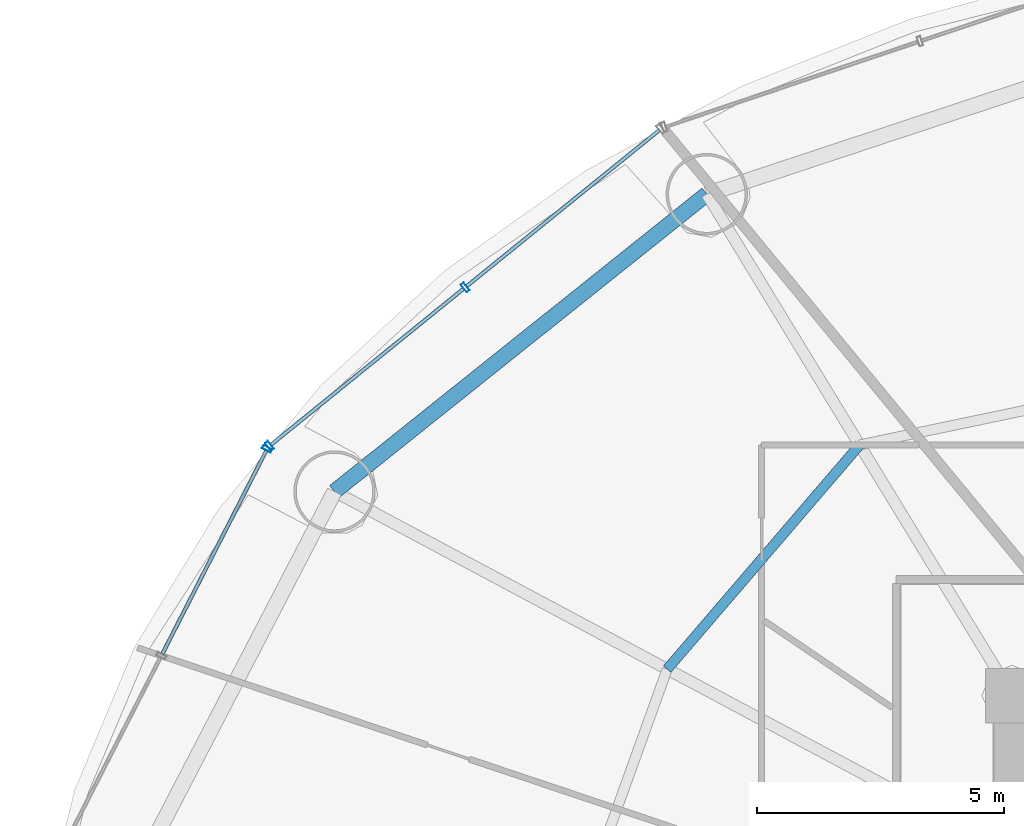
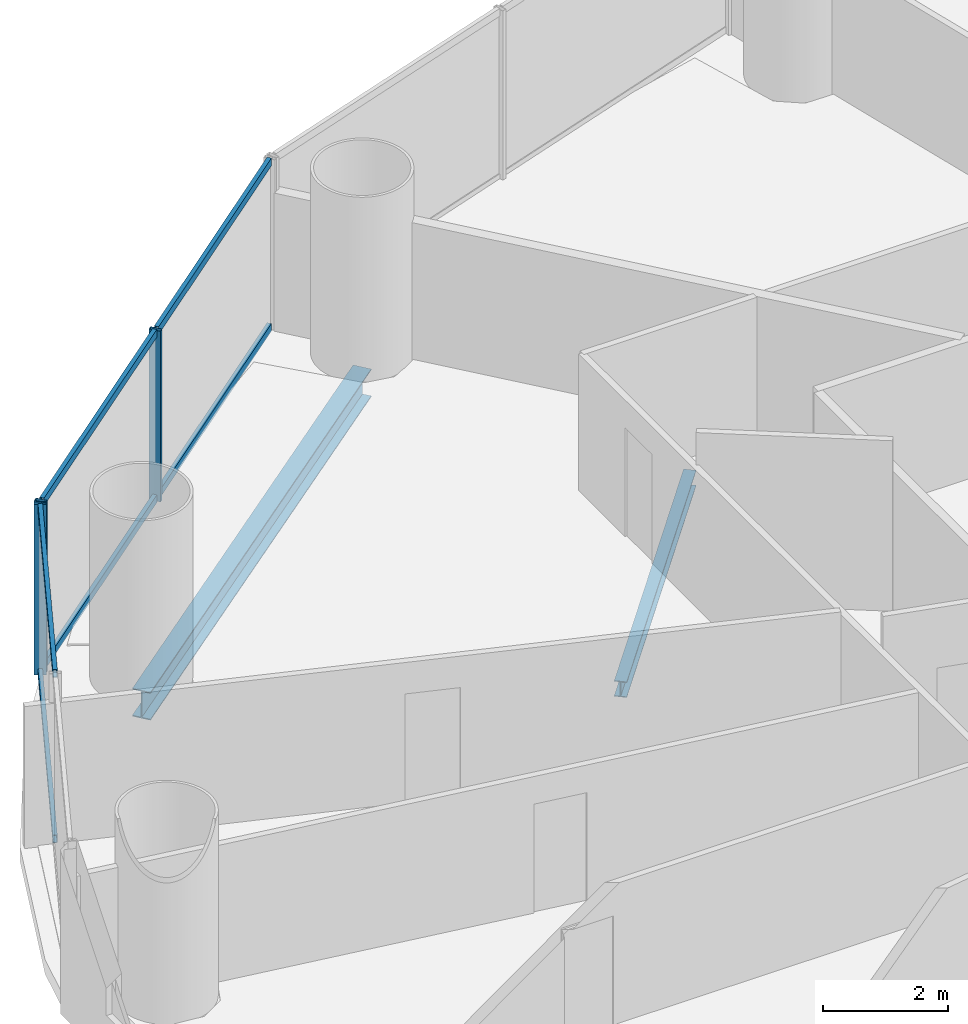
# One storey, part 13 of 28: 9 members, 2 beams, 2 elements without a shape of their own.
"""IFC4 building model written with IfcOpenShell, lengths in metres."""

from ifc_helpers import new_model, si_unit, direction, frame, origin, origin_2d, place, context, subcontext, project, spatial, hollow_rectangle, i_section, extrude, source, transform, mapped, material, material_profile, profile_set, type_object, element, aggregate, save


model = new_model("IFC4")

# Units and contexts
model_context = context("Model", 3, precision=1e-05, world=origin(), true_north=direction((-0.2419218956, 0.970295726276)))
body_context = subcontext(model_context, "Body", "Model", "MODEL_VIEW")
ifc_project = project(units=[si_unit("LENGTHUNIT", "METRE"), si_unit("AREAUNIT", "SQUARE_METRE"), si_unit("VOLUMEUNIT", "CUBIC_METRE"), si_unit("PLANEANGLEUNIT", "RADIAN"), si_unit("MASSUNIT", "GRAM", prefix="KILO")], contexts=[model_context])

# Site, building, storey
site_placement = place(None, origin())
site = spatial("IfcSite", under=ifc_project, at=site_placement, CompositionType="ELEMENT")
building_placement = place(site_placement, origin())
building = spatial("IfcBuilding", under=site, at=building_placement, Name="Cobrevalo Terracotta Tower", CompositionType="ELEMENT")
storey_placement = place(building_placement, frame((0.0, 0.0, 34.800048828125)))
storey = spatial("IfcBuildingStorey", under=building, at=storey_placement, Name="L08", CompositionType="ELEMENT", Elevation=34.800048828125)

# Beams
ifc_material_1 = material(Name="Steel S355", Category="steel")
ifc_material_profile_1 = material_profile(ifc_material_1, i_section(OverallWidth=0.2041015625, OverallDepth=0.305908203125, WebThickness=0.008544921875, FlangeThickness=0.0146484375, at=origin_2d()), Name="W 310x67")
ifc_profile_set_1 = profile_set([ifc_material_profile_1], Name="Steel S355")
beam_type_1 = type_object("IfcBeamType", Name="Structural Joist W 310x67 (Steel S355)", PredefinedType="JOIST", material=ifc_profile_set_1)
beam_1_placement = place(storey_placement, frame((25.902587890625, 39.8837890625, -0.43310546875), z_axis=(-0.651328404454, -0.758795960421, 0.0), x_axis=(0.758795960421, -0.651328404454, 0.0)))
element("IfcBeam", 1, at=beam_1_placement, inside=storey, type_object=beam_type_1, Name="L08 circumferential secondary floor joist 06", PredefinedType="JOIST", context=body_context, shape_type="SweptSolid", body=[
    extrude(i_section(OverallWidth=0.2041015625, OverallDepth=0.305908203125, WebThickness=0.008544921875, FlangeThickness=0.0146484375, at=origin_2d()), origin(), (0.0, 0.0, 1.0), 5.98828125),
])
ifc_material_profile_2 = material_profile(ifc_material_1, i_section(OverallWidth=0.31201171875, OverallDepth=0.54296875, WebThickness=0.0126953125, FlangeThickness=0.020263671875, at=origin_2d()), Name="W 530x150")
ifc_profile_set_2 = profile_set([ifc_material_profile_2], Name="Steel S355")
beam_type_2 = type_object("IfcBeamType", Name="Structural Spandrel W 530x150 (Steel S355)", PredefinedType="SPANDREL", material=ifc_profile_set_2)
beam_2_placement = place(storey_placement, frame((22.80517578125, 44.967529296875, -0.551513671875), z_axis=(-0.781292806807, -0.62416468182, 0.0), x_axis=(0.62416468182, -0.781292806807, 0.0)))
element("IfcBeam", 2, at=beam_2_placement, inside=storey, type_object=beam_type_2, Name="L08 perimeter ring spandrel 06", PredefinedType="SPANDREL", context=body_context, shape_type="SweptSolid", body=[
    extrude(i_section(OverallWidth=0.31201171875, OverallDepth=0.54296875, WebThickness=0.0126953125, FlangeThickness=0.020263671875, at=origin_2d()), origin(), (0.0, 0.0, 1.0), 9.658203125),
])

# Curtain wall, members
ifc_material_2 = material(Name="Anodized aluminium", Category="aluminium")
curtain_wall_type = type_object("IfcCurtainWallType", Name="Lower-tower unitised acoustic low-E curtain wall CW-U1", PredefinedType="NOTDEFINED", material=ifc_material_2)
curtain_wall_1_placement = place(storey_placement, origin())
curtain_wall_1 = element("IfcCurtainWall", 3, at=curtain_wall_1_placement, inside=storey, type_object=curtain_wall_type, Name="L08 curtain wall CW-L08-S06", PredefinedType="NOTDEFINED")
ifc_material_profile_3 = material_profile(ifc_material_2, hollow_rectangle(XDim=0.074951171875, YDim=0.199951171875, WallThickness=0.0048828125, at=origin_2d()), Name="CWM 75x200")
ifc_profile_set_3 = profile_set([ifc_material_profile_3], Name="Anodized aluminium")
member_type_1 = type_object("IfcMemberType", Name="Lower/mid tower unitised mullion 75x200", PredefinedType="MULLION", material=ifc_profile_set_3)
shared_shape_1 = source(origin(), body_context, "Body", "SweptSolid", [
    extrude(hollow_rectangle(XDim=0.074951171875, YDim=0.199951171875, WallThickness=0.0048828125, at=origin_2d()), origin(), (0.0, 0.0, 1.0), 3.320068359375),
])
member_1_placement = place(storey_placement, frame((17.90869140625, 43.076904296875, 0.0), z_axis=(0.0, 0.0, 1.0), x_axis=(-0.777003153187, -0.629496703675, 0.0)))
member_1 = element("IfcMember", 4, at=member_1_placement, type_object=member_type_1, Name="CW-L08-S06 vertical mullion 02", PredefinedType="MULLION", context=body_context, shape_type="MappedRepresentation", body=[
    mapped(shared_shape_1, transform((0.0, 0.0, 0.0), scale=1.0)),
])
member_2_placement = place(storey_placement, frame((13.943359375, 39.864501953125, 0.0), z_axis=(0.0, 0.0, 1.0), x_axis=(-0.777003153187, -0.629496703675, 0.0)))
member_2 = element("IfcMember", 5, at=member_2_placement, type_object=member_type_1, Name="CW-L08-S06 vertical mullion 03", PredefinedType="MULLION", context=body_context, shape_type="MappedRepresentation", body=[
    mapped(shared_shape_1, transform((0.0, 0.0, 0.0), scale=1.0)),
])

# Curtain wall, member
curtain_wall_2_placement = place(storey_placement, origin())
curtain_wall_2 = element("IfcCurtainWall", 6, at=curtain_wall_2_placement, inside=storey, type_object=curtain_wall_type, Name="L08 curtain wall CW-L08-S07", PredefinedType="NOTDEFINED")
member_3_placement = place(storey_placement, frame((13.89404296875, 39.8037109375, 0.0), z_axis=(0.0, 0.0, 1.0), x_axis=(-0.455234136597, -0.890371765543, 0.0)))
member_3 = element("IfcMember", 7, at=member_3_placement, type_object=member_type_1, Name="CW-L08-S07 vertical mullion 01", PredefinedType="MULLION", context=body_context, shape_type="MappedRepresentation", body=[
    mapped(shared_shape_1, transform((0.0, 0.0, 0.0), scale=1.0)),
])

# Member
ifc_material_profile_4 = material_profile(ifc_material_2, hollow_rectangle(XDim=0.074951171875, YDim=0.14990234375, WallThickness=0.00439453125, at=origin_2d()), Name="CWT 75x150")
ifc_profile_set_4 = profile_set([ifc_material_profile_4], Name="Anodized aluminium")
member_type_2 = type_object("IfcMemberType", Name="Tower unitised aluminium transom 75x150", PredefinedType="USERDEFINED", material=ifc_profile_set_4)
shared_shape_2 = source(origin(), body_context, "Body", "SweptSolid", [
    extrude(hollow_rectangle(XDim=0.074951171875, YDim=0.14990234375, WallThickness=0.00439453125, at=origin_2d()), origin(), (0.0, 0.0, 1.0), 5.0234375),
])
member_4_placement = place(storey_placement, frame((21.843017578125, 46.26416015625, 0.050048828125), z_axis=(-0.777022991593, -0.629472215857, 0.0), x_axis=(0.629472215857, -0.777022991593, 0.0)))
member_4 = element("IfcMember", 8, at=member_4_placement, type_object=member_type_2, Name="CW-L08-S06 transom B01-T1", ObjectType="TRANSOM", PredefinedType="USERDEFINED", context=body_context, shape_type="MappedRepresentation", body=[
    mapped(shared_shape_2, transform((0.0, 0.0, 0.0), scale=1.0)),
])

member_5_placement = place(storey_placement, frame((21.843017578125, 46.26416015625, 3.27001953125), z_axis=(-0.777022991593, -0.629472215857, 0.0), x_axis=(0.629472215857, -0.777022991593, 0.0)))
member_5 = element("IfcMember", 9, at=member_5_placement, type_object=member_type_2, Name="CW-L08-S06 transom B01-T2", ObjectType="TRANSOM", PredefinedType="USERDEFINED", context=body_context, shape_type="MappedRepresentation", body=[
    mapped(shared_shape_2, transform((0.0, 0.0, 0.0), scale=1.0)),
])

member_6_placement = place(storey_placement, frame((17.877685546875, 43.0517578125, 0.050048828125), z_axis=(-0.777022991593, -0.629472215857, 0.0), x_axis=(0.629472215857, -0.777022991593, 0.0)))
member_6 = element("IfcMember", 10, at=member_6_placement, type_object=member_type_2, Name="CW-L08-S06 transom B02-T1", ObjectType="TRANSOM", PredefinedType="USERDEFINED", context=body_context, shape_type="MappedRepresentation", body=[
    mapped(shared_shape_2, transform((0.0, 0.0, 0.0), scale=1.0)),
])

member_7_placement = place(storey_placement, frame((17.877685546875, 43.0517578125, 3.27001953125), z_axis=(-0.777022991593, -0.629472215857, 0.0), x_axis=(0.629472215857, -0.777022991593, 0.0)))
member_7 = element("IfcMember", 11, at=member_7_placement, type_object=member_type_2, Name="CW-L08-S06 transom B02-T2", ObjectType="TRANSOM", PredefinedType="USERDEFINED", context=body_context, shape_type="MappedRepresentation", body=[
    mapped(shared_shape_2, transform((0.0, 0.0, 0.0), scale=1.0)),
])

aggregate(curtain_wall_1, [member_1, member_2, member_4, member_5, member_6, member_7])

shared_shape_3 = source(origin(), body_context, "Body", "SweptSolid", [
    extrude(hollow_rectangle(XDim=0.074951171875, YDim=0.14990234375, WallThickness=0.00439453125, at=origin_2d()), origin(), (0.0, 0.0, 1.0), 4.63134765625),
])
member_8_placement = place(storey_placement, frame((13.8759765625, 39.76806640625, 0.050048828125), z_axis=(-0.455250376494, -0.890363462133, 0.0), x_axis=(0.890363462133, -0.455250376494, 0.0)))
member_8 = element("IfcMember", 12, at=member_8_placement, type_object=member_type_2, Name="CW-L08-S07 transom B01-T1", ObjectType="TRANSOM", PredefinedType="USERDEFINED", context=body_context, shape_type="MappedRepresentation", body=[
    mapped(shared_shape_3, transform((0.0, 0.0, 0.0), scale=1.0)),
])

member_9_placement = place(storey_placement, frame((13.8759765625, 39.76806640625, 3.27001953125), z_axis=(-0.455250376494, -0.890363462133, 0.0), x_axis=(0.890363462133, -0.455250376494, 0.0)))
member_9 = element("IfcMember", 13, at=member_9_placement, type_object=member_type_2, Name="CW-L08-S07 transom B01-T2", ObjectType="TRANSOM", PredefinedType="USERDEFINED", context=body_context, shape_type="MappedRepresentation", body=[
    mapped(shared_shape_3, transform((0.0, 0.0, 0.0), scale=1.0)),
])

aggregate(curtain_wall_2, [member_3, member_8, member_9])

save(model, "model.ifc")
